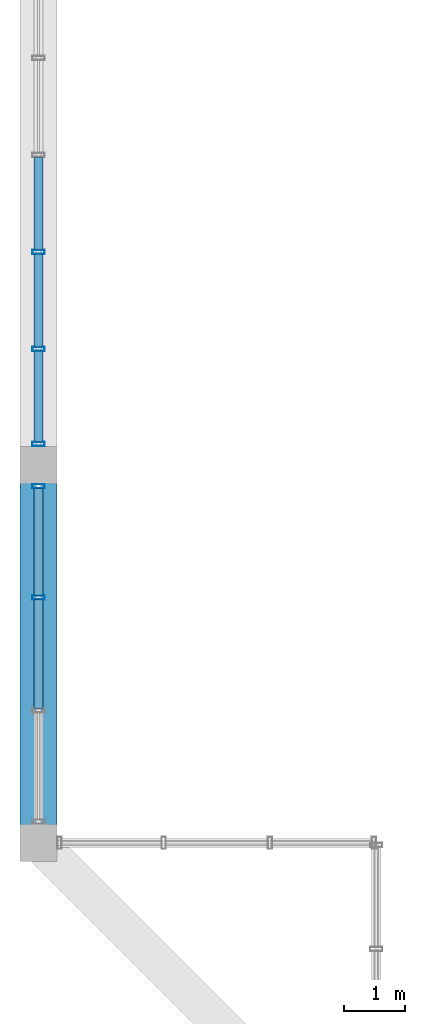
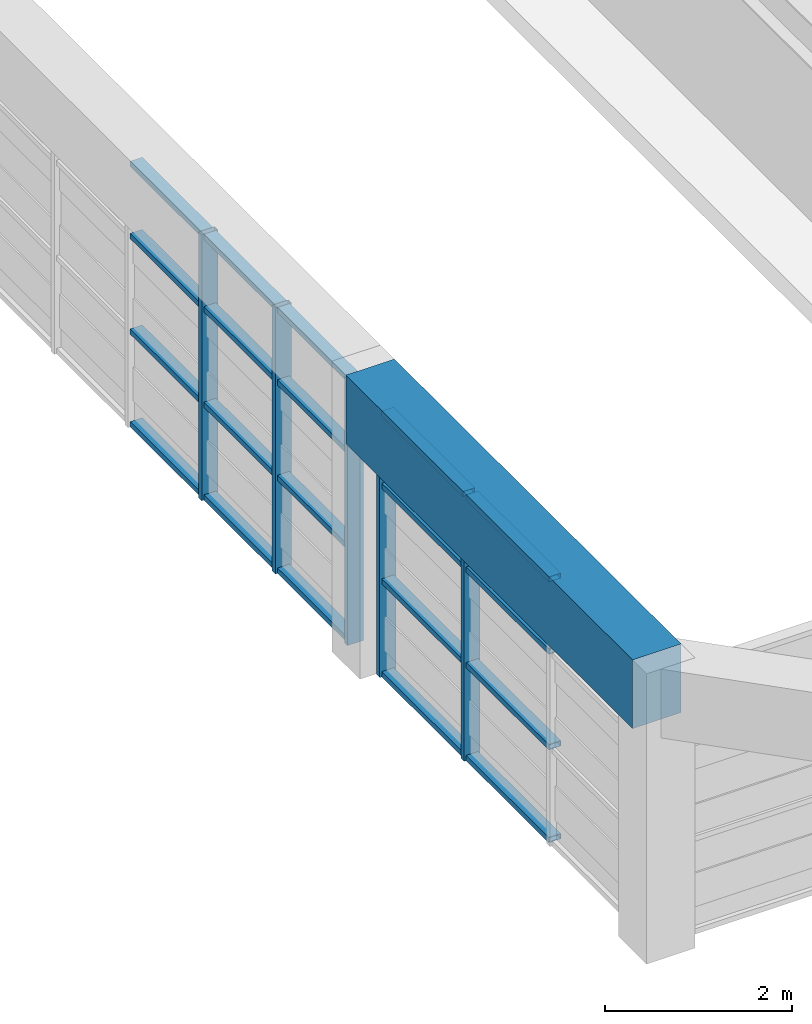
# One storey, part 4 of 27: 25 members, 1 beam, 2 elements without a shape of their own.
"""IFC4 building model written with IfcOpenShell, lengths in metres."""

from ifc_helpers import new_model, si_unit, direction, frame, origin, origin_2d, place, context, subcontext, project, spatial, rectangle, hollow_rectangle, extrude, source, transform, mapped, material, layer, layer_set, material_profile, profile_set, type_object, element, aggregate, save


model = new_model("IFC4")

# Units and contexts
model_context = context("Model", 3, precision=1e-05, world=origin(), true_north=direction((0.0, 1.0)))
body_context = subcontext(model_context, "Body", "Model", "MODEL_VIEW")
ifc_project = project(units=[si_unit("LENGTHUNIT", "METRE"), si_unit("AREAUNIT", "SQUARE_METRE"), si_unit("VOLUMEUNIT", "CUBIC_METRE"), si_unit("PLANEANGLEUNIT", "RADIAN"), si_unit("MASSUNIT", "GRAM", prefix="KILO")], contexts=[model_context])

# Site, building, storey
site_placement = place(None, origin())
site = spatial("IfcSite", under=ifc_project, at=site_placement, CompositionType="ELEMENT")
building_placement = place(site_placement, origin())
building = spatial("IfcBuilding", under=site, at=building_placement, Name="Saelheon Loggia Tower", CompositionType="ELEMENT")
storey_placement = place(building_placement, frame((0.0, 0.0, 256.0)))
storey = spatial("IfcBuildingStorey", under=building, at=storey_placement, Name="CR2", CompositionType="ELEMENT", Elevation=256.0)

# Beam
ifc_material_1 = material(Name="Precast Concrete C45/55", Category="concrete")
ifc_material_profile_1 = material_profile(ifc_material_1, rectangle(XDim=0.60009765625, YDim=0.89990234375, at=origin_2d()), Name="RC-600x900")
ifc_profile_set_1 = profile_set([ifc_material_profile_1], Name="Precast Concrete C45/55")
beam_type = type_object("IfcBeamType", Name="CrownFrame_Ring_RC600x900", PredefinedType="BEAM", material=ifc_profile_set_1)
shared_shape_1 = source(origin(), body_context, "Body", "SweptSolid", [
    extrude(rectangle(XDim=0.60009765625, YDim=0.89990234375, at=origin_2d()), origin(), (0.0, 0.0, 1.0), 6.14990234375),
])
beam_placement = place(storey_placement, frame((23.35009765625, 18.0, 3.35009765625), z_axis=(0.0, -1.0, 0.0), x_axis=(1.0, 0.0, 0.0)))
element("IfcBeam", 1, at=beam_placement, inside=storey, type_object=beam_type, Name="CR2 CROWN FRAME Ring Beam 15", PredefinedType="BEAM", context=body_context, shape_type="MappedRepresentation", body=[
    mapped(shared_shape_1, transform((0.0, 0.0, 0.0), scale=1.0)),
])

# Curtain wall, members
ifc_material_2 = material(Name="Bronze-Anodised Aluminium and Fritted Ceramic Screen", Category="aluminium")
ifc_layer = layer(ifc_material_2, 0.219970703125)
ifc_layer_set = layer_set([ifc_layer], Name="Bronze-Anodised Aluminium and Fritted Ceramic Screen")
curtain_wall_type = type_object("IfcCurtainWallType", Name="CW_CrownScreen", PredefinedType="NOTDEFINED", material=ifc_layer_set)
curtain_wall_1_placement = place(storey_placement, origin())
curtain_wall_1 = element("IfcCurtainWall", 2, at=curtain_wall_1_placement, inside=storey, type_object=curtain_wall_type, Name="CR2 Crown Screen Curtain Wall 9-2", PredefinedType="NOTDEFINED")
ifc_material_3 = material(Name="Bronze-Anodised Aluminium 6063-T6", Category="aluminium")
ifc_material_profile_2 = material_profile(ifc_material_3, hollow_rectangle(XDim=0.070068359375, YDim=0.199951171875, WallThickness=0.0048828125, at=origin_2d()), Name="RHS-200x70x5")
ifc_profile_set_2 = profile_set([ifc_material_profile_2], Name="Bronze-Anodised Aluminium 6063-T6")
member_type_1 = type_object("IfcMemberType", Name="CW_CrownScreen_Mullion", PredefinedType="MULLION", material=ifc_profile_set_2)
shared_shape_2 = source(origin(), body_context, "Body", "SweptSolid", [
    extrude(hollow_rectangle(XDim=0.070068359375, YDim=0.199951171875, WallThickness=0.0048828125, at=origin_2d()), origin(), (0.0, 0.0, 1.0), 3.47998046875),
])
member_1_placement = place(storey_placement, frame((23.35009765625, 21.469970703125, 0.0), z_axis=(0.0, 0.0, 1.0), x_axis=(0.0, -1.0, 0.0)))
member_1 = element("IfcMember", 3, at=member_1_placement, type_object=member_type_1, Name="CW6 mullion 10", PredefinedType="MULLION", context=body_context, shape_type="MappedRepresentation", body=[
    mapped(shared_shape_2, transform((0.0, 0.0, 0.0), scale=1.0)),
])
member_2_placement = place(storey_placement, frame((23.35009765625, 19.889892578125, 0.0), z_axis=(0.0, 0.0, 1.0), x_axis=(0.0, -1.0, 0.0)))
member_2 = element("IfcMember", 4, at=member_2_placement, type_object=member_type_1, Name="CW6 mullion 11", PredefinedType="MULLION", context=body_context, shape_type="MappedRepresentation", body=[
    mapped(shared_shape_2, transform((0.0, 0.0, 0.0), scale=1.0)),
])
member_3_placement = place(storey_placement, frame((23.35009765625, 18.344970703125, 0.0), z_axis=(0.0, 0.0, 1.0), x_axis=(0.0, -1.0, 0.0)))
member_3 = element("IfcMember", 5, at=member_3_placement, type_object=member_type_1, Name="CW6 mullion 12", PredefinedType="MULLION", context=body_context, shape_type="MappedRepresentation", body=[
    mapped(shared_shape_2, transform((0.0, 0.0, 0.0), scale=1.0)),
])

curtain_wall_2_placement = place(storey_placement, origin())
curtain_wall_2 = element("IfcCurtainWall", 6, at=curtain_wall_2_placement, inside=storey, type_object=curtain_wall_type, Name="CR2 Crown Screen Curtain Wall 9-3", PredefinedType="NOTDEFINED")
member_4_placement = place(storey_placement, frame((23.35009765625, 17.655029296875, 0.0), z_axis=(0.0, 0.0, 1.0), x_axis=(0.0, -1.0, 0.0)))
member_4 = element("IfcMember", 7, at=member_4_placement, type_object=member_type_1, Name="CW6 mullion 1", PredefinedType="MULLION", context=body_context, shape_type="MappedRepresentation", body=[
    mapped(shared_shape_2, transform((0.0, 0.0, 0.0), scale=1.0)),
])
member_5_placement = place(storey_placement, frame((23.35009765625, 15.8466796875, 0.0), z_axis=(0.0, 0.0, 1.0), x_axis=(0.0, -1.0, 0.0)))
member_5 = element("IfcMember", 8, at=member_5_placement, type_object=member_type_1, Name="CW6 mullion 2", PredefinedType="MULLION", context=body_context, shape_type="MappedRepresentation", body=[
    mapped(shared_shape_2, transform((0.0, 0.0, 0.0), scale=1.0)),
])
ifc_material_profile_3 = material_profile(ifc_material_3, hollow_rectangle(XDim=0.070068359375, YDim=0.14990234375, WallThickness=0.0048828125, at=origin_2d()), Name="RHS-150x70x5")
ifc_profile_set_3 = profile_set([ifc_material_profile_3], Name="Bronze-Anodised Aluminium 6063-T6")
member_type_2 = type_object("IfcMemberType", Name="CW_CrownScreen_Transom", PredefinedType="USERDEFINED", material=ifc_profile_set_3)
shared_shape_3 = source(origin(), body_context, "Body", "SweptSolid", [
    extrude(hollow_rectangle(XDim=0.070068359375, YDim=0.14990234375, WallThickness=0.0048828125, at=origin_2d()), origin(), (0.0, 0.0, 1.0), 1.7734375),
])
member_6_placement = place(storey_placement, frame((23.35009765625, 15.811767578125, 0.034912109375), z_axis=(0.0, -1.0, 0.0), x_axis=(0.0, 0.0, 1.0)))
member_6 = element("IfcMember", 9, at=member_6_placement, type_object=member_type_2, Name="CW6 transom 2.1", ObjectType="TRANSOM", PredefinedType="USERDEFINED", context=body_context, shape_type="MappedRepresentation", body=[
    mapped(shared_shape_3, transform((0.0, 0.0, 0.0), scale=1.0)),
])
member_7_placement = place(storey_placement, frame((23.35009765625, 15.811767578125, 1.25), z_axis=(0.0, -1.0, 0.0), x_axis=(0.0, 0.0, 1.0)))
member_7 = element("IfcMember", 10, at=member_7_placement, type_object=member_type_2, Name="CW6 transom 2.2", ObjectType="TRANSOM", PredefinedType="USERDEFINED", context=body_context, shape_type="MappedRepresentation", body=[
    mapped(shared_shape_3, transform((0.0, 0.0, 0.0), scale=1.0)),
])
member_8_placement = place(storey_placement, frame((23.35009765625, 15.811767578125, 2.5), z_axis=(0.0, -1.0, 0.0), x_axis=(0.0, 0.0, 1.0)))
member_8 = element("IfcMember", 11, at=member_8_placement, type_object=member_type_2, Name="CW6 transom 2.3", ObjectType="TRANSOM", PredefinedType="USERDEFINED", context=body_context, shape_type="MappedRepresentation", body=[
    mapped(shared_shape_3, transform((0.0, 0.0, 0.0), scale=1.0)),
])
member_9_placement = place(storey_placement, frame((23.35009765625, 15.811767578125, 3.445068359375), z_axis=(0.0, -1.0, 0.0), x_axis=(0.0, 0.0, 1.0)))
member_9 = element("IfcMember", 12, at=member_9_placement, type_object=member_type_2, Name="CW6 transom 2.4", ObjectType="TRANSOM", PredefinedType="USERDEFINED", context=body_context, shape_type="MappedRepresentation", body=[
    mapped(shared_shape_3, transform((0.0, 0.0, 0.0), scale=1.0)),
])
shared_shape_4 = source(origin(), body_context, "Body", "SweptSolid", [
    extrude(hollow_rectangle(XDim=0.070068359375, YDim=0.14990234375, WallThickness=0.0048828125, at=origin_2d()), origin(), (0.0, 0.0, 1.0), 1.738525390625),
])
member_10_placement = place(storey_placement, frame((23.35009765625, 17.6201171875, 0.034912109375), z_axis=(0.0, -1.0, 0.0), x_axis=(0.0, 0.0, 1.0)))
member_10 = element("IfcMember", 13, at=member_10_placement, type_object=member_type_2, Name="CW6 transom 1.1", ObjectType="TRANSOM", PredefinedType="USERDEFINED", context=body_context, shape_type="MappedRepresentation", body=[
    mapped(shared_shape_4, transform((0.0, 0.0, 0.0), scale=1.0)),
])
member_11_placement = place(storey_placement, frame((23.35009765625, 17.6201171875, 1.25), z_axis=(0.0, -1.0, 0.0), x_axis=(0.0, 0.0, 1.0)))
member_11 = element("IfcMember", 14, at=member_11_placement, type_object=member_type_2, Name="CW6 transom 1.2", ObjectType="TRANSOM", PredefinedType="USERDEFINED", context=body_context, shape_type="MappedRepresentation", body=[
    mapped(shared_shape_4, transform((0.0, 0.0, 0.0), scale=1.0)),
])
member_12_placement = place(storey_placement, frame((23.35009765625, 17.6201171875, 2.5), z_axis=(0.0, -1.0, 0.0), x_axis=(0.0, 0.0, 1.0)))
member_12 = element("IfcMember", 15, at=member_12_placement, type_object=member_type_2, Name="CW6 transom 1.3", ObjectType="TRANSOM", PredefinedType="USERDEFINED", context=body_context, shape_type="MappedRepresentation", body=[
    mapped(shared_shape_4, transform((0.0, 0.0, 0.0), scale=1.0)),
])
member_13_placement = place(storey_placement, frame((23.35009765625, 17.6201171875, 3.445068359375), z_axis=(0.0, -1.0, 0.0), x_axis=(0.0, 0.0, 1.0)))
member_13 = element("IfcMember", 16, at=member_13_placement, type_object=member_type_2, Name="CW6 transom 1.4", ObjectType="TRANSOM", PredefinedType="USERDEFINED", context=body_context, shape_type="MappedRepresentation", body=[
    mapped(shared_shape_4, transform((0.0, 0.0, 0.0), scale=1.0)),
])
aggregate(curtain_wall_2, [member_4, member_5, member_10, member_11, member_12, member_13, member_6, member_7, member_8, member_9])

# Member
shared_shape_5 = source(origin(), body_context, "Body", "SweptSolid", [
    extrude(hollow_rectangle(XDim=0.070068359375, YDim=0.14990234375, WallThickness=0.0048828125, at=origin_2d()), origin(), (0.0, 0.0, 1.0), 1.47509765625),
])
member_14_placement = place(storey_placement, frame((23.35009765625, 19.85498046875, 0.034912109375), z_axis=(0.0, -1.0, 0.0), x_axis=(0.0, 0.0, 1.0)))
member_14 = element("IfcMember", 17, at=member_14_placement, type_object=member_type_2, Name="CW6 transom 11.1", ObjectType="TRANSOM", PredefinedType="USERDEFINED", context=body_context, shape_type="MappedRepresentation", body=[
    mapped(shared_shape_5, transform((0.0, 0.0, 0.0), scale=1.0)),
])

member_15_placement = place(storey_placement, frame((23.35009765625, 19.85498046875, 1.25), z_axis=(0.0, -1.0, 0.0), x_axis=(0.0, 0.0, 1.0)))
member_15 = element("IfcMember", 18, at=member_15_placement, type_object=member_type_2, Name="CW6 transom 11.2", ObjectType="TRANSOM", PredefinedType="USERDEFINED", context=body_context, shape_type="MappedRepresentation", body=[
    mapped(shared_shape_5, transform((0.0, 0.0, 0.0), scale=1.0)),
])

member_16_placement = place(storey_placement, frame((23.35009765625, 19.85498046875, 2.5), z_axis=(0.0, -1.0, 0.0), x_axis=(0.0, 0.0, 1.0)))
member_16 = element("IfcMember", 19, at=member_16_placement, type_object=member_type_2, Name="CW6 transom 11.3", ObjectType="TRANSOM", PredefinedType="USERDEFINED", context=body_context, shape_type="MappedRepresentation", body=[
    mapped(shared_shape_5, transform((0.0, 0.0, 0.0), scale=1.0)),
])

member_17_placement = place(storey_placement, frame((23.35009765625, 19.85498046875, 3.445068359375), z_axis=(0.0, -1.0, 0.0), x_axis=(0.0, 0.0, 1.0)))
member_17 = element("IfcMember", 20, at=member_17_placement, type_object=member_type_2, Name="CW6 transom 11.4", ObjectType="TRANSOM", PredefinedType="USERDEFINED", context=body_context, shape_type="MappedRepresentation", body=[
    mapped(shared_shape_5, transform((0.0, 0.0, 0.0), scale=1.0)),
])

shared_shape_6 = source(origin(), body_context, "Body", "SweptSolid", [
    extrude(hollow_rectangle(XDim=0.070068359375, YDim=0.14990234375, WallThickness=0.0048828125, at=origin_2d()), origin(), (0.0, 0.0, 1.0), 1.510009765625),
])
member_18_placement = place(storey_placement, frame((23.35009765625, 23.014892578125, 0.034912109375), z_axis=(0.0, -1.0, 0.0), x_axis=(0.0, 0.0, 1.0)))
member_18 = element("IfcMember", 21, at=member_18_placement, type_object=member_type_2, Name="CW6 transom 9.1", ObjectType="TRANSOM", PredefinedType="USERDEFINED", context=body_context, shape_type="MappedRepresentation", body=[
    mapped(shared_shape_6, transform((0.0, 0.0, 0.0), scale=1.0)),
])

member_19_placement = place(storey_placement, frame((23.35009765625, 23.014892578125, 1.25), z_axis=(0.0, -1.0, 0.0), x_axis=(0.0, 0.0, 1.0)))
member_19 = element("IfcMember", 22, at=member_19_placement, type_object=member_type_2, Name="CW6 transom 9.2", ObjectType="TRANSOM", PredefinedType="USERDEFINED", context=body_context, shape_type="MappedRepresentation", body=[
    mapped(shared_shape_6, transform((0.0, 0.0, 0.0), scale=1.0)),
])

member_20_placement = place(storey_placement, frame((23.35009765625, 23.014892578125, 2.5), z_axis=(0.0, -1.0, 0.0), x_axis=(0.0, 0.0, 1.0)))
member_20 = element("IfcMember", 23, at=member_20_placement, type_object=member_type_2, Name="CW6 transom 9.3", ObjectType="TRANSOM", PredefinedType="USERDEFINED", context=body_context, shape_type="MappedRepresentation", body=[
    mapped(shared_shape_6, transform((0.0, 0.0, 0.0), scale=1.0)),
])

member_21_placement = place(storey_placement, frame((23.35009765625, 23.014892578125, 3.445068359375), z_axis=(0.0, -1.0, 0.0), x_axis=(0.0, 0.0, 1.0)))
member_21 = element("IfcMember", 24, at=member_21_placement, type_object=member_type_2, Name="CW6 transom 9.4", ObjectType="TRANSOM", PredefinedType="USERDEFINED", context=body_context, shape_type="MappedRepresentation", body=[
    mapped(shared_shape_6, transform((0.0, 0.0, 0.0), scale=1.0)),
])

member_22_placement = place(storey_placement, frame((23.35009765625, 21.43505859375, 0.034912109375), z_axis=(0.0, -1.0, 0.0), x_axis=(0.0, 0.0, 1.0)))
member_22 = element("IfcMember", 25, at=member_22_placement, type_object=member_type_2, Name="CW6 transom 10.1", ObjectType="TRANSOM", PredefinedType="USERDEFINED", context=body_context, shape_type="MappedRepresentation", body=[
    mapped(shared_shape_6, transform((0.0, 0.0, 0.0), scale=1.0)),
])

member_23_placement = place(storey_placement, frame((23.35009765625, 21.43505859375, 1.25), z_axis=(0.0, -1.0, 0.0), x_axis=(0.0, 0.0, 1.0)))
member_23 = element("IfcMember", 26, at=member_23_placement, type_object=member_type_2, Name="CW6 transom 10.2", ObjectType="TRANSOM", PredefinedType="USERDEFINED", context=body_context, shape_type="MappedRepresentation", body=[
    mapped(shared_shape_6, transform((0.0, 0.0, 0.0), scale=1.0)),
])

member_24_placement = place(storey_placement, frame((23.35009765625, 21.43505859375, 2.5), z_axis=(0.0, -1.0, 0.0), x_axis=(0.0, 0.0, 1.0)))
member_24 = element("IfcMember", 27, at=member_24_placement, type_object=member_type_2, Name="CW6 transom 10.3", ObjectType="TRANSOM", PredefinedType="USERDEFINED", context=body_context, shape_type="MappedRepresentation", body=[
    mapped(shared_shape_6, transform((0.0, 0.0, 0.0), scale=1.0)),
])

member_25_placement = place(storey_placement, frame((23.35009765625, 21.43505859375, 3.445068359375), z_axis=(0.0, -1.0, 0.0), x_axis=(0.0, 0.0, 1.0)))
member_25 = element("IfcMember", 28, at=member_25_placement, type_object=member_type_2, Name="CW6 transom 10.4", ObjectType="TRANSOM", PredefinedType="USERDEFINED", context=body_context, shape_type="MappedRepresentation", body=[
    mapped(shared_shape_6, transform((0.0, 0.0, 0.0), scale=1.0)),
])

aggregate(curtain_wall_1, [member_1, member_2, member_3, member_18, member_19, member_20, member_21, member_22, member_23, member_24, member_25, member_14, member_15, member_16, member_17])

save(model, "model.ifc")
